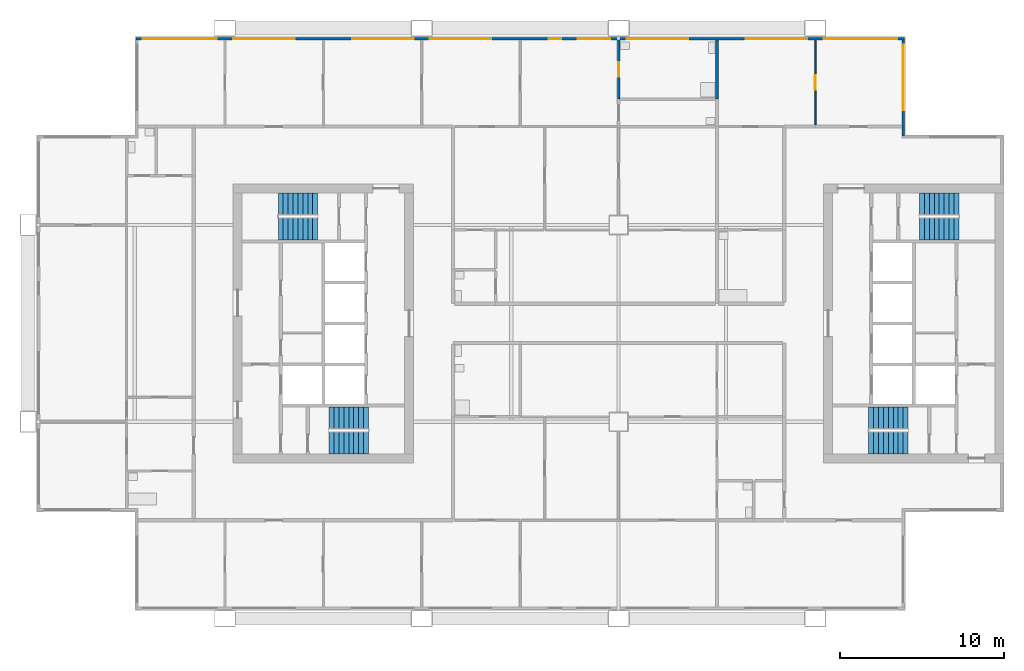
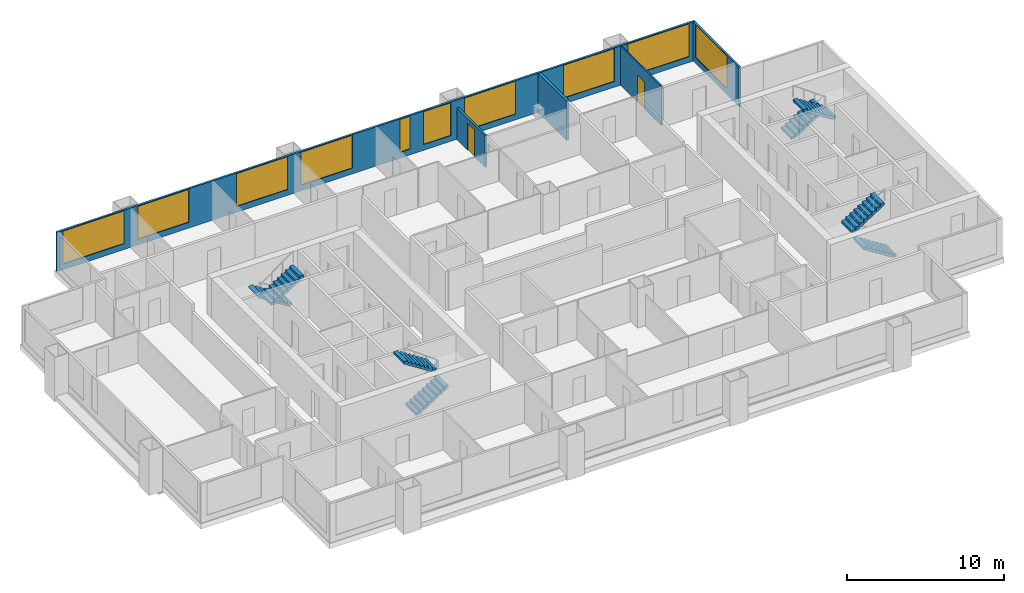
# One storey, part 7 of 9: 10 windows, 8 stair flights, 5 walls, 2 doors, 12 openings, 4 elements without a shape of their own.
"""IFC4 building model written with IfcOpenShell, lengths in metres."""

from ifc_helpers import new_model, si_unit, direction, frame, frame_2d, origin, place, context, subcontext, project, spatial, polyline, rectangle, outline, extrude, material, layer, layer_set, type_object, element, fill, aggregate, save


model = new_model("IFC4")

# Units and contexts
model_context = context("Model", 3, precision=1e-05, world=origin(), true_north=direction((0.0, 1.0)))
body_context = subcontext(model_context, "Body", "Model", "MODEL_VIEW")
ifc_project = project(units=[si_unit("LENGTHUNIT", "METRE"), si_unit("AREAUNIT", "SQUARE_METRE"), si_unit("VOLUMEUNIT", "CUBIC_METRE"), si_unit("PLANEANGLEUNIT", "RADIAN"), si_unit("MASSUNIT", "GRAM", prefix="KILO")], contexts=[model_context])

# Site, building, storey
site_placement = place(None, origin())
site = spatial("IfcSite", under=ifc_project, at=site_placement, CompositionType="ELEMENT")
building_placement = place(site_placement, origin())
building = spatial("IfcBuilding", under=site, at=building_placement, Name="Kitamizu Gate Tower and Museum", CompositionType="ELEMENT")
storey_placement = place(building_placement, frame((0.0, 0.0, 182.39990234375)))
storey = spatial("IfcBuildingStorey", under=building, at=storey_placement, Name="L48", CompositionType="ELEMENT", Elevation=182.39990234375)

# Wall, opening, door
ifc_material_1 = material(Name="Gypsum board on galvanised stud")
ifc_layer_1 = layer(ifc_material_1, 0.10009765625)
ifc_layer_set_1 = layer_set([ifc_layer_1], Name="Gypsum board on galvanised stud")
wall_type_1 = type_object("IfcWallType", Name="Partition 100 NOT RATED", PredefinedType="PARTITIONING", material=ifc_layer_set_1)
wall_1_placement = place(storey_placement, frame((48.0, 42.10009765625, 0.0), z_axis=(0.0, 0.0, 1.0), x_axis=(0.0, 1.0, 0.0)))
wall_1 = element("IfcWall", 1, at=wall_1_placement, inside=storey, type_object=wall_type_1, Name="Partition L48-098", PredefinedType="PARTITIONING", context=body_context, shape_type="SweptSolid", body=[
    extrude(rectangle(XDim=5.179931640625, YDim=0.10009765625, at=frame_2d((2.58984375, 0.0))), origin(), (0.0, 0.0, 1.0), 3.050048828125),
])
opening_1_placement = place(wall_1_placement, frame((2.139892578125, 0.0, 0.0)))
opening_1 = element("IfcOpeningElement", 2, at=opening_1_placement, cuts=wall_1, Name="Opening L48-037", PredefinedType="OPENING", context=body_context, shape_type="SweptSolid", body=[
    extrude(rectangle(XDim=0.89990234375, YDim=2.10009765625, at=frame_2d((0.449951171875, 1.050048828125))), frame((0.0, 0.06005859375, 0.0), z_axis=(0.0, -1.0, 0.0), x_axis=(1.0, 0.0, 0.0)), (0.0, 0.0, 1.0), 0.1201171875),
])
ifc_material_2 = material(Name="Timber door set", Category="wood")
door_type_1 = type_object("IfcDoorType", Name="Room door 900", OperationType="NOTDEFINED", PredefinedType="DOOR", material=ifc_material_2)
door_1_placement = place(opening_1_placement, origin())
door_1 = element("IfcDoor", 3, at=door_1_placement, inside=storey, type_object=door_type_1, Name="Door L48-037", OperationType="SINGLE_SWING_LEFT", OverallHeight=2.10009765625, OverallWidth=0.89990234375, PredefinedType="DOOR", context=body_context, shape_type="SweptSolid", body=[
    extrude(rectangle(XDim=0.89990234375, YDim=2.10009765625, at=frame_2d((0.449951171875, 1.050048828125))), frame((0.0, 0.02490234375, 0.0), z_axis=(0.0, -1.0, 0.0), x_axis=(1.0, 0.0, 0.0)), (0.0, 0.0, 1.0), 0.050048828125),
])
fill(opening_1, door_1)

ifc_material_3 = material(Name="Gypsum board on galvanised stud")
ifc_layer_2 = layer(ifc_material_3, 0.14990234375)
ifc_layer_set_2 = layer_set([ifc_layer_2], Name="Gypsum board on galvanised stud")
wall_type_2 = type_object("IfcWallType", Name="Partition 150", PredefinedType="PARTITIONING", material=ifc_layer_set_2)
wall_2_placement = place(storey_placement, frame((36.0, 43.679931640625, 0.0), z_axis=(0.0, 0.0, 1.0), x_axis=(0.0, 1.0, 0.0)))
wall_2 = element("IfcWall", 4, at=wall_2_placement, inside=storey, type_object=wall_type_2, Name="Partition L48-052", PredefinedType="PARTITIONING", context=body_context, shape_type="SweptSolid", body=[
    extrude(rectangle(XDim=3.60009765625, YDim=0.14990234375, at=frame_2d((1.800048828125, 0.0))), origin(), (0.0, 0.0, 1.0), 2.4501953125),
])
opening_2_placement = place(wall_2_placement, frame((1.35009765625, 0.0, 0.0)))
opening_2 = element("IfcOpeningElement", 5, at=opening_2_placement, cuts=wall_2, Name="Opening L48-020", PredefinedType="OPENING", context=body_context, shape_type="SweptSolid", body=[
    extrude(rectangle(XDim=0.89990234375, YDim=2.10009765625, at=frame_2d((0.449951171875, 1.050048828125))), frame((0.0, 0.0849609375, 0.0), z_axis=(0.0, -1.0, 0.0), x_axis=(1.0, 0.0, 0.0)), (0.0, 0.0, 1.0), 0.169921875),
])
ifc_material_4 = material(Name="Timber door set", Category="wood")
door_type_2 = type_object("IfcDoorType", Name="Bathroom door 900", OperationType="NOTDEFINED", PredefinedType="DOOR", material=ifc_material_4)
door_2_placement = place(opening_2_placement, frame((0.89990234375, 0.0, 0.0), x_axis=(-1.0, 0.0, 0.0)))
door_2 = element("IfcDoor", 6, at=door_2_placement, inside=storey, type_object=door_type_2, Name="Bathroom door L48-020", OperationType="SINGLE_SWING_RIGHT", OverallHeight=2.10009765625, OverallWidth=0.89990234375, PredefinedType="DOOR", context=body_context, shape_type="SweptSolid", body=[
    extrude(rectangle(XDim=0.89990234375, YDim=2.10009765625, at=frame_2d((0.449951171875, 1.050048828125))), frame((0.0, 0.02490234375, 0.0), z_axis=(0.0, -1.0, 0.0), x_axis=(1.0, 0.0, 0.0)), (0.0, 0.0, 1.0), 0.050048828125),
])
fill(opening_2, door_2)

# Wall
ifc_material_5 = material(Name="Gypsum board on galvanised stud")
ifc_layer_3 = layer(ifc_material_5, 0.199951171875)
ifc_layer_set_3 = layer_set([ifc_layer_3], Name="Gypsum board on galvanised stud")
wall_type_3 = type_object("IfcWallType", Name="Partition 200", PredefinedType="PARTITIONING", material=ifc_layer_set_3)
wall_3_placement = place(storey_placement, frame((42.0, 43.679931640625, 0.0), z_axis=(0.0, 0.0, 1.0), x_axis=(0.0, 1.0, 0.0)))
element("IfcWall", 7, at=wall_3_placement, inside=storey, type_object=wall_type_3, Name="Partition L48-057", PredefinedType="PARTITIONING", context=body_context, shape_type="SweptSolid", body=[
    extrude(rectangle(XDim=3.60009765625, YDim=0.199951171875, at=frame_2d((1.800048828125, 0.0))), origin(), (0.0, 0.0, 1.0), 3.050048828125),
])

# Wall, opening, window
ifc_material_6 = material(Name="Bronze anodised aluminium frame with insulated spandrel and tinted glass", Category="aluminium")
ifc_layer_4 = layer(ifc_material_6, 0.14990234375)
ifc_layer_set_4 = layer_set([ifc_layer_4], Name="Bronze anodised aluminium frame with insulated spandrel and tinted glass")
wall_type_4 = type_object("IfcWallType", Name="WINDOW WALL 150 BRONZE FRAME EI 30", PredefinedType="ELEMENTEDWALL", material=ifc_layer_set_4)
wall_4_placement = place(storey_placement, frame((53.364990234375, 41.43994140625, 0.0), z_axis=(0.0, 0.0, 1.0), x_axis=(0.0, 1.0, 0.0)))
wall_4 = element("IfcWall", 8, at=wall_4_placement, inside=storey, type_object=wall_type_4, Name="Window wall east L48", PredefinedType="ELEMENTEDWALL", context=body_context, shape_type="SweptSolid", body=[
    extrude(rectangle(XDim=5.85009765625, YDim=0.14990234375, at=frame_2d((2.925048828125, 0.0))), origin(), (0.0, 0.0, 1.0), 3.050048828125),
])
opening_3_placement = place(wall_4_placement, frame((1.56005859375, 0.0, 0.449951171875)))
opening_3 = element("IfcOpeningElement", 9, at=opening_3_placement, cuts=wall_4, Name="Opening W16", PredefinedType="OPENING", context=body_context, shape_type="SweptSolid", body=[
    extrude(rectangle(XDim=4.0, YDim=2.550048828125, at=frame_2d((2.0, 1.27490234375))), frame((0.0, 0.0849609375, 0.0), z_axis=(0.0, -1.0, 0.0), x_axis=(1.0, 0.0, 0.0)), (0.0, 0.0, 1.0), 0.169921875),
])
ifc_material_7 = material(Name="Bronze anodised aluminium frame, tinted triple glazing", Category="aluminium")
window_type_1 = type_object("IfcWindowType", Name="WINDOW 4000 x 2550 SILL 450", PartitioningType="SINGLE_PANEL", PredefinedType="WINDOW", material=ifc_material_7)
window_1_placement = place(opening_3_placement, origin())
window_1 = element("IfcWindow", 10, at=window_1_placement, inside=storey, type_object=window_type_1, Name="Window W16 L48", OverallHeight=2.550048828125, OverallWidth=4.0, PartitioningType="SINGLE_PANEL", PredefinedType="WINDOW", context=body_context, shape_type="SweptSolid", body=[
    extrude(rectangle(XDim=4.0, YDim=2.550048828125, at=frame_2d((2.0, 1.27490234375))), frame((0.0, 0.030029296875, 0.0), z_axis=(0.0, -1.0, 0.0), x_axis=(1.0, 0.0, 0.0)), (0.0, 0.0, 1.0), 0.06005859375),
])
fill(opening_3, window_1)

# Wall, openings, windows
wall_5_placement = place(storey_placement, frame((6.56005859375, 47.364990234375, 0.0), z_axis=(0.0, 0.0, 1.0), x_axis=(1.0, 0.0, 0.0)))
wall_5 = element("IfcWall", 11, at=wall_5_placement, inside=storey, type_object=wall_type_4, Name="Window wall north L48", PredefinedType="ELEMENTEDWALL", context=body_context, shape_type="SweptSolid", body=[
    extrude(rectangle(XDim=46.8798828125, YDim=0.14990234375, at=frame_2d((23.43994140625, 0.0))), origin(), (0.0, 0.0, 1.0), 3.050048828125),
])
opening_4_placement = place(wall_5_placement, frame((0.43994140625, 0.0, 0.449951171875)))
opening_4 = element("IfcOpeningElement", 12, at=opening_4_placement, cuts=wall_5, Name="Opening W15", PredefinedType="OPENING", context=body_context, shape_type="SweptSolid", body=[
    extrude(rectangle(XDim=4.5, YDim=2.550048828125, at=frame_2d((2.25, 1.27490234375))), frame((0.0, 0.0849609375, 0.0), z_axis=(0.0, -1.0, 0.0), x_axis=(1.0, 0.0, 0.0)), (0.0, 0.0, 1.0), 0.169921875),
])
opening_5_placement = place(wall_5_placement, frame((5.93994140625, 0.0, 0.449951171875)))
opening_5 = element("IfcOpeningElement", 13, at=opening_5_placement, cuts=wall_5, Name="Opening W36", PredefinedType="OPENING", context=body_context, shape_type="SweptSolid", body=[
    extrude(rectangle(XDim=3.75, YDim=2.550048828125, at=frame_2d((1.875, 1.27490234375))), frame((0.0, 0.0849609375, 0.0), z_axis=(0.0, -1.0, 0.0), x_axis=(1.0, 0.0, 0.0)), (0.0, 0.0, 1.0), 0.169921875),
])
opening_6_placement = place(wall_5_placement, frame((13.18994140625, 0.0, 0.449951171875)))
opening_6 = element("IfcOpeningElement", 14, at=opening_6_placement, cuts=wall_5, Name="Opening W36", PredefinedType="OPENING", context=body_context, shape_type="SweptSolid", body=[
    extrude(rectangle(XDim=3.75, YDim=2.550048828125, at=frame_2d((1.875, 1.27490234375))), frame((0.0, 0.0849609375, 0.0), z_axis=(0.0, -1.0, 0.0), x_axis=(1.0, 0.0, 0.0)), (0.0, 0.0, 1.0), 0.169921875),
])
opening_7_placement = place(wall_5_placement, frame((17.93994140625, 0.0, 0.449951171875)))
opening_7 = element("IfcOpeningElement", 15, at=opening_7_placement, cuts=wall_5, Name="Opening W36", PredefinedType="OPENING", context=body_context, shape_type="SweptSolid", body=[
    extrude(rectangle(XDim=3.75, YDim=2.550048828125, at=frame_2d((1.875, 1.27490234375))), frame((0.0, 0.0849609375, 0.0), z_axis=(0.0, -1.0, 0.0), x_axis=(1.0, 0.0, 0.0)), (0.0, 0.0, 1.0), 0.169921875),
])
opening_8_placement = place(wall_5_placement, frame((25.18994140625, 0.0, 0.449951171875)))
opening_8 = element("IfcOpeningElement", 16, at=opening_8_placement, cuts=wall_5, Name="Opening W25", PredefinedType="OPENING", context=body_context, shape_type="SweptSolid", body=[
    extrude(rectangle(XDim=0.75, YDim=2.550048828125, at=frame_2d((0.375, 1.27490234375))), frame((0.0, 0.0849609375, 0.0), z_axis=(0.0, -1.0, 0.0), x_axis=(1.0, 0.0, 0.0)), (0.0, 0.0, 1.0), 0.169921875),
])
opening_9_placement = place(wall_5_placement, frame((26.93994140625, 0.0, 0.449951171875)))
opening_9 = element("IfcOpeningElement", 17, at=opening_9_placement, cuts=wall_5, Name="Opening W2", PredefinedType="OPENING", context=body_context, shape_type="SweptSolid", body=[
    extrude(rectangle(XDim=2.0, YDim=2.550048828125, at=frame_2d((1.0, 1.27490234375))), frame((0.0, 0.0849609375, 0.0), z_axis=(0.0, -1.0, 0.0), x_axis=(1.0, 0.0, 0.0)), (0.0, 0.0, 1.0), 0.169921875),
])
opening_10_placement = place(wall_5_placement, frame((29.93994140625, 0.0, 0.449951171875)))
opening_10 = element("IfcOpeningElement", 18, at=opening_10_placement, cuts=wall_5, Name="Opening W36", PredefinedType="OPENING", context=body_context, shape_type="SweptSolid", body=[
    extrude(rectangle(XDim=3.75, YDim=2.550048828125, at=frame_2d((1.875, 1.27490234375))), frame((0.0, 0.0849609375, 0.0), z_axis=(0.0, -1.0, 0.0), x_axis=(1.0, 0.0, 0.0)), (0.0, 0.0, 1.0), 0.169921875),
])
opening_11_placement = place(wall_5_placement, frame((37.18994140625, 0.0, 0.449951171875)))
opening_11 = element("IfcOpeningElement", 19, at=opening_11_placement, cuts=wall_5, Name="Opening W36", PredefinedType="OPENING", context=body_context, shape_type="SweptSolid", body=[
    extrude(rectangle(XDim=3.75, YDim=2.550048828125, at=frame_2d((1.875, 1.27490234375))), frame((0.0, 0.0849609375, 0.0), z_axis=(0.0, -1.0, 0.0), x_axis=(1.0, 0.0, 0.0)), (0.0, 0.0, 1.0), 0.169921875),
])
opening_12_placement = place(wall_5_placement, frame((41.93994140625, 0.0, 0.449951171875)))
opening_12 = element("IfcOpeningElement", 20, at=opening_12_placement, cuts=wall_5, Name="Opening W15", PredefinedType="OPENING", context=body_context, shape_type="SweptSolid", body=[
    extrude(rectangle(XDim=4.5, YDim=2.550048828125, at=frame_2d((2.25, 1.27490234375))), frame((0.0, 0.0849609375, 0.0), z_axis=(0.0, -1.0, 0.0), x_axis=(1.0, 0.0, 0.0)), (0.0, 0.0, 1.0), 0.169921875),
])
ifc_material_8 = material(Name="Bronze anodised aluminium frame, tinted triple glazing", Category="aluminium")
window_type_2 = type_object("IfcWindowType", Name="WINDOW 2000 x 2550 SILL 450", PartitioningType="SINGLE_PANEL", PredefinedType="WINDOW", material=ifc_material_8)
window_2_placement = place(opening_9_placement, origin())
window_2 = element("IfcWindow", 21, at=window_2_placement, inside=storey, type_object=window_type_2, Name="Window W2 L48", OverallHeight=2.550048828125, OverallWidth=2.0, PartitioningType="SINGLE_PANEL", PredefinedType="WINDOW", context=body_context, shape_type="SweptSolid", body=[
    extrude(rectangle(XDim=2.0, YDim=2.550048828125, at=frame_2d((1.0, 1.27490234375))), frame((0.0, 0.030029296875, 0.0), z_axis=(0.0, -1.0, 0.0), x_axis=(1.0, 0.0, 0.0)), (0.0, 0.0, 1.0), 0.06005859375),
])
fill(opening_9, window_2)
ifc_material_9 = material(Name="Bronze anodised aluminium frame, tinted triple glazing", Category="aluminium")
window_type_3 = type_object("IfcWindowType", Name="WINDOW 3750 x 2550 SILL 450", PartitioningType="SINGLE_PANEL", PredefinedType="WINDOW", material=ifc_material_9)
window_3_placement = place(opening_5_placement, origin())
window_3 = element("IfcWindow", 22, at=window_3_placement, inside=storey, type_object=window_type_3, Name="Window W36 L48", OverallHeight=2.550048828125, OverallWidth=3.75, PartitioningType="SINGLE_PANEL", PredefinedType="WINDOW", context=body_context, shape_type="SweptSolid", body=[
    extrude(rectangle(XDim=3.75, YDim=2.550048828125, at=frame_2d((1.875, 1.27490234375))), frame((0.0, 0.030029296875, 0.0), z_axis=(0.0, -1.0, 0.0), x_axis=(1.0, 0.0, 0.0)), (0.0, 0.0, 1.0), 0.06005859375),
])
fill(opening_5, window_3)
window_4_placement = place(opening_6_placement, origin())
window_4 = element("IfcWindow", 23, at=window_4_placement, inside=storey, type_object=window_type_3, Name="Window W36 L48", OverallHeight=2.550048828125, OverallWidth=3.75, PartitioningType="SINGLE_PANEL", PredefinedType="WINDOW", context=body_context, shape_type="SweptSolid", body=[
    extrude(rectangle(XDim=3.75, YDim=2.550048828125, at=frame_2d((1.875, 1.27490234375))), frame((0.0, 0.030029296875, 0.0), z_axis=(0.0, -1.0, 0.0), x_axis=(1.0, 0.0, 0.0)), (0.0, 0.0, 1.0), 0.06005859375),
])
fill(opening_6, window_4)
window_5_placement = place(opening_7_placement, origin())
window_5 = element("IfcWindow", 24, at=window_5_placement, inside=storey, type_object=window_type_3, Name="Window W36 L48", OverallHeight=2.550048828125, OverallWidth=3.75, PartitioningType="SINGLE_PANEL", PredefinedType="WINDOW", context=body_context, shape_type="SweptSolid", body=[
    extrude(rectangle(XDim=3.75, YDim=2.550048828125, at=frame_2d((1.875, 1.27490234375))), frame((0.0, 0.030029296875, 0.0), z_axis=(0.0, -1.0, 0.0), x_axis=(1.0, 0.0, 0.0)), (0.0, 0.0, 1.0), 0.06005859375),
])
fill(opening_7, window_5)
window_6_placement = place(opening_10_placement, origin())
window_6 = element("IfcWindow", 25, at=window_6_placement, inside=storey, type_object=window_type_3, Name="Window W36 L48", OverallHeight=2.550048828125, OverallWidth=3.75, PartitioningType="SINGLE_PANEL", PredefinedType="WINDOW", context=body_context, shape_type="SweptSolid", body=[
    extrude(rectangle(XDim=3.75, YDim=2.550048828125, at=frame_2d((1.875, 1.27490234375))), frame((0.0, 0.030029296875, 0.0), z_axis=(0.0, -1.0, 0.0), x_axis=(1.0, 0.0, 0.0)), (0.0, 0.0, 1.0), 0.06005859375),
])
fill(opening_10, window_6)
window_7_placement = place(opening_11_placement, origin())
window_7 = element("IfcWindow", 26, at=window_7_placement, inside=storey, type_object=window_type_3, Name="Window W36 L48", OverallHeight=2.550048828125, OverallWidth=3.75, PartitioningType="SINGLE_PANEL", PredefinedType="WINDOW", context=body_context, shape_type="SweptSolid", body=[
    extrude(rectangle(XDim=3.75, YDim=2.550048828125, at=frame_2d((1.875, 1.27490234375))), frame((0.0, 0.030029296875, 0.0), z_axis=(0.0, -1.0, 0.0), x_axis=(1.0, 0.0, 0.0)), (0.0, 0.0, 1.0), 0.06005859375),
])
fill(opening_11, window_7)
ifc_material_10 = material(Name="Bronze anodised aluminium frame, tinted triple glazing", Category="aluminium")
window_type_4 = type_object("IfcWindowType", Name="WINDOW 4500 x 2550 SILL 450", PartitioningType="SINGLE_PANEL", PredefinedType="WINDOW", material=ifc_material_10)
window_8_placement = place(opening_4_placement, origin())
window_8 = element("IfcWindow", 27, at=window_8_placement, inside=storey, type_object=window_type_4, Name="Window W15 L48", OverallHeight=2.550048828125, OverallWidth=4.5, PartitioningType="SINGLE_PANEL", PredefinedType="WINDOW", context=body_context, shape_type="SweptSolid", body=[
    extrude(rectangle(XDim=4.5, YDim=2.550048828125, at=frame_2d((2.25, 1.27490234375))), frame((0.0, 0.030029296875, 0.0), z_axis=(0.0, -1.0, 0.0), x_axis=(1.0, 0.0, 0.0)), (0.0, 0.0, 1.0), 0.06005859375),
])
fill(opening_4, window_8)
window_9_placement = place(opening_12_placement, origin())
window_9 = element("IfcWindow", 28, at=window_9_placement, inside=storey, type_object=window_type_4, Name="Window W15 L48", OverallHeight=2.550048828125, OverallWidth=4.5, PartitioningType="SINGLE_PANEL", PredefinedType="WINDOW", context=body_context, shape_type="SweptSolid", body=[
    extrude(rectangle(XDim=4.5, YDim=2.550048828125, at=frame_2d((2.25, 1.27490234375))), frame((0.0, 0.030029296875, 0.0), z_axis=(0.0, -1.0, 0.0), x_axis=(1.0, 0.0, 0.0)), (0.0, 0.0, 1.0), 0.06005859375),
])
fill(opening_12, window_9)
ifc_material_11 = material(Name="Bronze anodised aluminium frame, tinted triple glazing", Category="aluminium")
window_type_5 = type_object("IfcWindowType", Name="WINDOW 750 x 2550 SILL 450", PartitioningType="SINGLE_PANEL", PredefinedType="WINDOW", material=ifc_material_11)
window_10_placement = place(opening_8_placement, origin())
window_10 = element("IfcWindow", 29, at=window_10_placement, inside=storey, type_object=window_type_5, Name="Window W25 L48", OverallHeight=2.550048828125, OverallWidth=0.75, PartitioningType="SINGLE_PANEL", PredefinedType="WINDOW", context=body_context, shape_type="SweptSolid", body=[
    extrude(rectangle(XDim=0.75, YDim=2.550048828125, at=frame_2d((0.375, 1.27490234375))), frame((0.0, 0.030029296875, 0.0), z_axis=(0.0, -1.0, 0.0), x_axis=(1.0, 0.0, 0.0)), (0.0, 0.0, 1.0), 0.06005859375),
])
fill(opening_8, window_10)

# Stair, stair flights
ifc_material_12 = material(Name="Concrete Fc42", Category="concrete")
stair_type = type_object("IfcStairType", Name="Exit stair 1325 wide 192 rise 300 going", PredefinedType="HALF_TURN_STAIR", material=ifc_material_12)
stair_1_placement = place(storey_placement, origin())
stair_1 = element("IfcStair", 30, at=stair_1_placement, inside=storey, type_object=stair_type, Name="Exit stair ST1", PredefinedType="HALF_TURN_STAIR")
ifc_material_13 = material(Name="Concrete Fc42", Category="concrete")
stair_flight_type = type_object("IfcStairFlightType", Name="Stair flight 1325 wide 192 rise 300 going", PredefinedType="STRAIGHT", material=ifc_material_13)
stair_flight_1_placement = place(storey_placement, frame((18.35009765625, 22.71240234375, 0.0), z_axis=(0.0, 0.0, 1.0), x_axis=(1.0, 0.0, 0.0)))
stair_flight_1 = element("IfcStairFlight", 31, at=stair_flight_1_placement, type_object=stair_flight_type, Name="ST1 flight 1", NumberOfRisers=9, NumberOfTreads=8, PredefinedType="STRAIGHT", RiserHeight=0.191666667, TreadLength=0.3, context=body_context, shape_type="SweptSolid", body=[
    extrude(outline(polyline([(0.0, 0.0), (0.0, 0.191650390625), (0.300048828125, 0.191650390625), (0.300048828125, 0.38330078125), (0.60009765625, 0.38330078125), (0.60009765625, 0.574951171875), (0.89990234375, 0.574951171875), (0.89990234375, 0.7666015625), (1.199951171875, 0.7666015625), (1.199951171875, 0.958251953125), (1.5, 0.958251953125), (1.5, 1.14990234375), (1.800048828125, 1.14990234375), (1.800048828125, 1.341552734375), (2.10009765625, 1.341552734375), (2.10009765625, 1.533447265625), (2.39990234375, 1.533447265625), (2.39990234375, 1.72509765625), (2.39990234375, 1.35546875), (0.2783203125, 0.0), (0.0, 0.0)])), frame((0.0, 0.66259765625, 0.0), z_axis=(0.0, -1.0, 0.0), x_axis=(1.0, 0.0, 0.0)), (0.0, 0.0, 1.0), 1.324951171875),
])
stair_flight_2_placement = place(storey_placement, frame((20.75, 24.237548828125, 1.72509765625), z_axis=(0.0, 0.0, 1.0), x_axis=(-1.0, 0.0, 0.0)))
stair_flight_2 = element("IfcStairFlight", 32, at=stair_flight_2_placement, type_object=stair_flight_type, Name="ST1 flight 2", NumberOfRisers=9, NumberOfTreads=8, PredefinedType="STRAIGHT", RiserHeight=0.191666667, TreadLength=0.3, context=body_context, shape_type="SweptSolid", body=[
    extrude(outline(polyline([(0.0, 0.0), (0.0, 0.191650390625), (0.300048828125, 0.191650390625), (0.300048828125, 0.38330078125), (0.60009765625, 0.38330078125), (0.60009765625, 0.574951171875), (0.89990234375, 0.574951171875), (0.89990234375, 0.7666015625), (1.199951171875, 0.7666015625), (1.199951171875, 0.958251953125), (1.5, 0.958251953125), (1.5, 1.14990234375), (1.800048828125, 1.14990234375), (1.800048828125, 1.341552734375), (2.10009765625, 1.341552734375), (2.10009765625, 1.533447265625), (2.39990234375, 1.533447265625), (2.39990234375, 1.72509765625), (2.39990234375, 1.35546875), (0.2783203125, 0.0), (0.0, 0.0)])), frame((0.0, 0.66259765625, 0.0), z_axis=(0.0, -1.0, 0.0), x_axis=(1.0, 0.0, 0.0)), (0.0, 0.0, 1.0), 1.324951171875),
])
aggregate(stair_1, [stair_flight_1, stair_flight_2])

stair_2_placement = place(storey_placement, origin())
stair_2 = element("IfcStair", 33, at=stair_2_placement, inside=storey, type_object=stair_type, Name="Exit stair ST2", PredefinedType="HALF_TURN_STAIR")
stair_flight_3_placement = place(storey_placement, frame((17.64990234375, 37.28759765625, 0.0), z_axis=(0.0, 0.0, 1.0), x_axis=(-1.0, 0.0, 0.0)))
stair_flight_3 = element("IfcStairFlight", 34, at=stair_flight_3_placement, type_object=stair_flight_type, Name="ST2 flight 1", NumberOfRisers=9, NumberOfTreads=8, PredefinedType="STRAIGHT", RiserHeight=0.191666667, TreadLength=0.3, context=body_context, shape_type="SweptSolid", body=[
    extrude(outline(polyline([(0.0, 0.0), (0.0, 0.191650390625), (0.300048828125, 0.191650390625), (0.300048828125, 0.38330078125), (0.60009765625, 0.38330078125), (0.60009765625, 0.574951171875), (0.89990234375, 0.574951171875), (0.89990234375, 0.7666015625), (1.199951171875, 0.7666015625), (1.199951171875, 0.958251953125), (1.5, 0.958251953125), (1.5, 1.14990234375), (1.800048828125, 1.14990234375), (1.800048828125, 1.341552734375), (2.10009765625, 1.341552734375), (2.10009765625, 1.533447265625), (2.39990234375, 1.533447265625), (2.39990234375, 1.72509765625), (2.39990234375, 1.35546875), (0.2783203125, 0.0), (0.0, 0.0)])), frame((0.0, 0.66259765625, 0.0), z_axis=(0.0, -1.0, 0.0), x_axis=(1.0, 0.0, 0.0)), (0.0, 0.0, 1.0), 1.324951171875),
])
stair_flight_4_placement = place(storey_placement, frame((15.25, 35.762451171875, 1.72509765625), z_axis=(0.0, 0.0, 1.0), x_axis=(1.0, 0.0, 0.0)))
stair_flight_4 = element("IfcStairFlight", 35, at=stair_flight_4_placement, type_object=stair_flight_type, Name="ST2 flight 2", NumberOfRisers=9, NumberOfTreads=8, PredefinedType="STRAIGHT", RiserHeight=0.191666667, TreadLength=0.3, context=body_context, shape_type="SweptSolid", body=[
    extrude(outline(polyline([(0.0, 0.0), (0.0, 0.191650390625), (0.300048828125, 0.191650390625), (0.300048828125, 0.38330078125), (0.60009765625, 0.38330078125), (0.60009765625, 0.574951171875), (0.89990234375, 0.574951171875), (0.89990234375, 0.7666015625), (1.199951171875, 0.7666015625), (1.199951171875, 0.958251953125), (1.5, 0.958251953125), (1.5, 1.14990234375), (1.800048828125, 1.14990234375), (1.800048828125, 1.341552734375), (2.10009765625, 1.341552734375), (2.10009765625, 1.533447265625), (2.39990234375, 1.533447265625), (2.39990234375, 1.72509765625), (2.39990234375, 1.35546875), (0.2783203125, 0.0), (0.0, 0.0)])), frame((0.0, 0.66259765625, 0.0), z_axis=(0.0, -1.0, 0.0), x_axis=(1.0, 0.0, 0.0)), (0.0, 0.0, 1.0), 1.324951171875),
])
aggregate(stair_2, [stair_flight_3, stair_flight_4])

stair_3_placement = place(storey_placement, origin())
stair_3 = element("IfcStair", 36, at=stair_3_placement, inside=storey, type_object=stair_type, Name="Exit stair ST3", PredefinedType="HALF_TURN_STAIR")
stair_flight_5_placement = place(storey_placement, frame((53.64990234375, 22.71240234375, 0.0), z_axis=(0.0, 0.0, 1.0), x_axis=(-1.0, 0.0, 0.0)))
stair_flight_5 = element("IfcStairFlight", 37, at=stair_flight_5_placement, type_object=stair_flight_type, Name="ST3 flight 1", NumberOfRisers=9, NumberOfTreads=8, PredefinedType="STRAIGHT", RiserHeight=0.191666667, TreadLength=0.3, context=body_context, shape_type="SweptSolid", body=[
    extrude(outline(polyline([(0.0, 0.0), (0.0, 0.191650390625), (0.300048828125, 0.191650390625), (0.300048828125, 0.38330078125), (0.60009765625, 0.38330078125), (0.60009765625, 0.574951171875), (0.89990234375, 0.574951171875), (0.89990234375, 0.7666015625), (1.199951171875, 0.7666015625), (1.199951171875, 0.958251953125), (1.5, 0.958251953125), (1.5, 1.14990234375), (1.800048828125, 1.14990234375), (1.800048828125, 1.341552734375), (2.10009765625, 1.341552734375), (2.10009765625, 1.533447265625), (2.39990234375, 1.533447265625), (2.39990234375, 1.72509765625), (2.39990234375, 1.35546875), (0.2783203125, 0.0), (0.0, 0.0)])), frame((0.0, 0.66259765625, 0.0), z_axis=(0.0, -1.0, 0.0), x_axis=(1.0, 0.0, 0.0)), (0.0, 0.0, 1.0), 1.324951171875),
])
stair_flight_6_placement = place(storey_placement, frame((51.25, 24.237548828125, 1.72509765625), z_axis=(0.0, 0.0, 1.0), x_axis=(1.0, 0.0, 0.0)))
stair_flight_6 = element("IfcStairFlight", 38, at=stair_flight_6_placement, type_object=stair_flight_type, Name="ST3 flight 2", NumberOfRisers=9, NumberOfTreads=8, PredefinedType="STRAIGHT", RiserHeight=0.191666667, TreadLength=0.3, context=body_context, shape_type="SweptSolid", body=[
    extrude(outline(polyline([(0.0, 0.0), (0.0, 0.191650390625), (0.300048828125, 0.191650390625), (0.300048828125, 0.38330078125), (0.60009765625, 0.38330078125), (0.60009765625, 0.574951171875), (0.89990234375, 0.574951171875), (0.89990234375, 0.7666015625), (1.199951171875, 0.7666015625), (1.199951171875, 0.958251953125), (1.5, 0.958251953125), (1.5, 1.14990234375), (1.800048828125, 1.14990234375), (1.800048828125, 1.341552734375), (2.10009765625, 1.341552734375), (2.10009765625, 1.533447265625), (2.39990234375, 1.533447265625), (2.39990234375, 1.72509765625), (2.39990234375, 1.35546875), (0.2783203125, 0.0), (0.0, 0.0)])), frame((0.0, 0.66259765625, 0.0), z_axis=(0.0, -1.0, 0.0), x_axis=(1.0, 0.0, 0.0)), (0.0, 0.0, 1.0), 1.324951171875),
])
aggregate(stair_3, [stair_flight_5, stair_flight_6])

stair_4_placement = place(storey_placement, origin())
stair_4 = element("IfcStair", 39, at=stair_4_placement, inside=storey, type_object=stair_type, Name="Exit stair ST4", PredefinedType="HALF_TURN_STAIR")
stair_flight_7_placement = place(storey_placement, frame((54.35009765625, 37.28759765625, 0.0), z_axis=(0.0, 0.0, 1.0), x_axis=(1.0, 0.0, 0.0)))
stair_flight_7 = element("IfcStairFlight", 40, at=stair_flight_7_placement, type_object=stair_flight_type, Name="ST4 flight 1", NumberOfRisers=9, NumberOfTreads=8, PredefinedType="STRAIGHT", RiserHeight=0.191666667, TreadLength=0.3, context=body_context, shape_type="SweptSolid", body=[
    extrude(outline(polyline([(0.0, 0.0), (0.0, 0.191650390625), (0.300048828125, 0.191650390625), (0.300048828125, 0.38330078125), (0.60009765625, 0.38330078125), (0.60009765625, 0.574951171875), (0.89990234375, 0.574951171875), (0.89990234375, 0.7666015625), (1.199951171875, 0.7666015625), (1.199951171875, 0.958251953125), (1.5, 0.958251953125), (1.5, 1.14990234375), (1.800048828125, 1.14990234375), (1.800048828125, 1.341552734375), (2.10009765625, 1.341552734375), (2.10009765625, 1.533447265625), (2.39990234375, 1.533447265625), (2.39990234375, 1.72509765625), (2.39990234375, 1.35546875), (0.2783203125, 0.0), (0.0, 0.0)])), frame((0.0, 0.66259765625, 0.0), z_axis=(0.0, -1.0, 0.0), x_axis=(1.0, 0.0, 0.0)), (0.0, 0.0, 1.0), 1.324951171875),
])
stair_flight_8_placement = place(storey_placement, frame((56.75, 35.762451171875, 1.72509765625), z_axis=(0.0, 0.0, 1.0), x_axis=(-1.0, 0.0, 0.0)))
stair_flight_8 = element("IfcStairFlight", 41, at=stair_flight_8_placement, type_object=stair_flight_type, Name="ST4 flight 2", NumberOfRisers=9, NumberOfTreads=8, PredefinedType="STRAIGHT", RiserHeight=0.191666667, TreadLength=0.3, context=body_context, shape_type="SweptSolid", body=[
    extrude(outline(polyline([(0.0, 0.0), (0.0, 0.191650390625), (0.300048828125, 0.191650390625), (0.300048828125, 0.38330078125), (0.60009765625, 0.38330078125), (0.60009765625, 0.574951171875), (0.89990234375, 0.574951171875), (0.89990234375, 0.7666015625), (1.199951171875, 0.7666015625), (1.199951171875, 0.958251953125), (1.5, 0.958251953125), (1.5, 1.14990234375), (1.800048828125, 1.14990234375), (1.800048828125, 1.341552734375), (2.10009765625, 1.341552734375), (2.10009765625, 1.533447265625), (2.39990234375, 1.533447265625), (2.39990234375, 1.72509765625), (2.39990234375, 1.35546875), (0.2783203125, 0.0), (0.0, 0.0)])), frame((0.0, 0.66259765625, 0.0), z_axis=(0.0, -1.0, 0.0), x_axis=(1.0, 0.0, 0.0)), (0.0, 0.0, 1.0), 1.324951171875),
])
aggregate(stair_4, [stair_flight_7, stair_flight_8])

save(model, "model.ifc")
